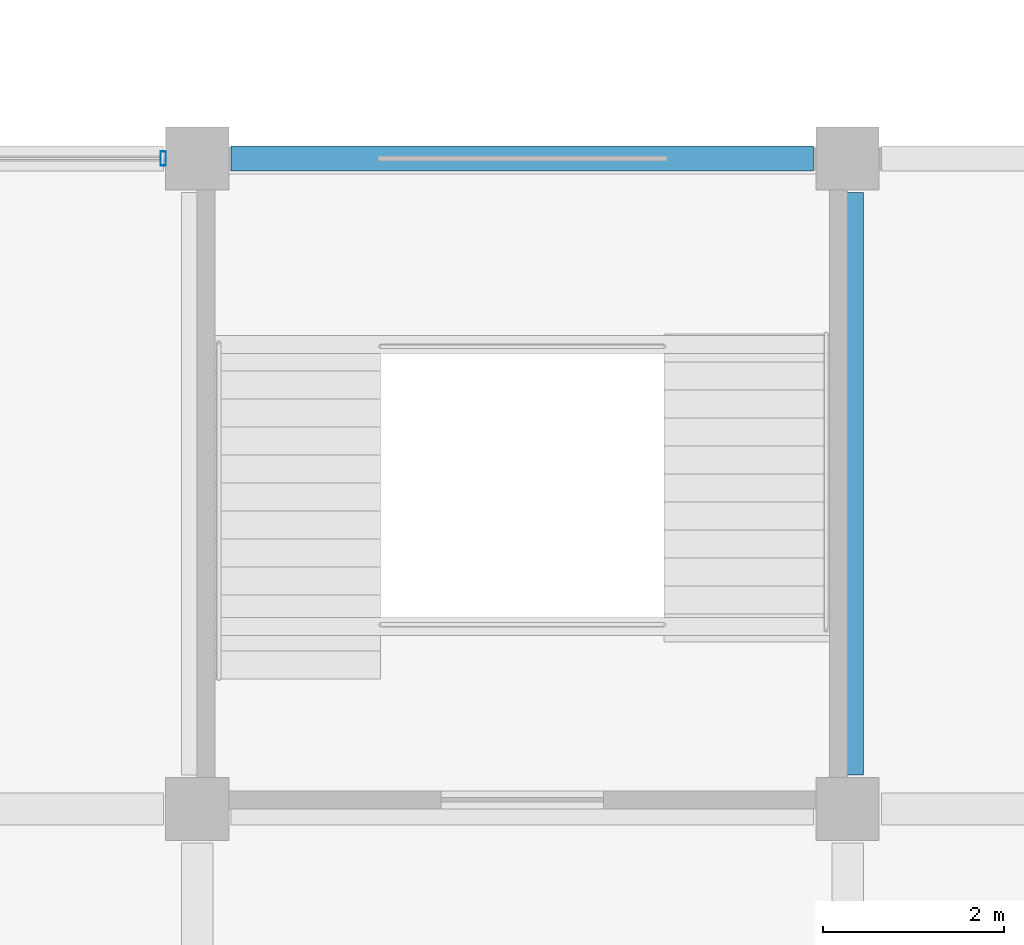
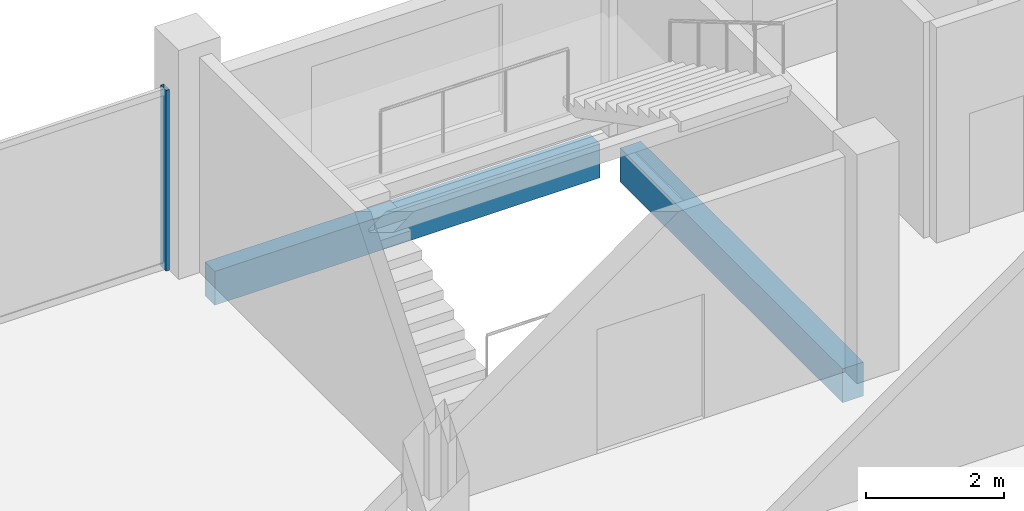
# One storey, part 43 of 108: 2 beams, 1 member, 1 element without a shape of its own.
"""IFC4 building model written with IfcOpenShell, lengths in metres."""

from ifc_helpers import new_model, si_unit, direction, frame, origin, origin_2d, place, context, subcontext, project, spatial, rectangle, hollow_rectangle, extrude, material, layer, layer_set, material_profile, profile_set, type_object, element, aggregate, save


model = new_model("IFC4")

# Units and contexts
model_context = context("Model", 3, precision=1e-05, world=origin(), true_north=direction((0.0, 1.0)))
body_context = subcontext(model_context, "Body", "Model", "MODEL_VIEW")
ifc_project = project(units=[si_unit("LENGTHUNIT", "METRE"), si_unit("AREAUNIT", "SQUARE_METRE"), si_unit("VOLUMEUNIT", "CUBIC_METRE"), si_unit("PLANEANGLEUNIT", "RADIAN"), si_unit("MASSUNIT", "GRAM", prefix="KILO")], contexts=[model_context])

# Site, building, storey
site_placement = place(None, origin())
site = spatial("IfcSite", under=ifc_project, at=site_placement, CompositionType="ELEMENT")
building_placement = place(site_placement, origin())
building = spatial("IfcBuilding", under=site, at=building_placement, Name="Kangsadwip Square Police Headquarters", CompositionType="ELEMENT")
storey_placement = place(building_placement, frame((0.0, 0.0, 9.449951171875)))
storey = spatial("IfcBuildingStorey", under=building, at=storey_placement, Name="L02", CompositionType="ELEMENT", Elevation=9.449951171875)

# Curtain wall, member
ifc_material_1 = material(Name="Thermally broken anodised aluminium AW-6063-T6", Category="aluminium")
ifc_layer = layer(ifc_material_1, 0.159912109375)
ifc_layer_set = layer_set([ifc_layer], Name="Thermally broken anodised aluminium AW-6063-T6")
curtain_wall_type = type_object("IfcCurtainWallType", Name="CourtScreen6535x3200", PredefinedType="USERDEFINED", material=ifc_layer_set)
curtain_wall_placement = place(storey_placement, origin())
curtain_wall = element("IfcCurtainWall", 1, at=curtain_wall_placement, inside=storey, type_object=curtain_wall_type, Name="Curtain Wall CW-L02-1227-0360", ObjectType="GLAZED_SCREEN", PredefinedType="USERDEFINED")
ifc_material_2 = material(Name="Thermally broken anodised aluminium AW-6063-T6", Category="aluminium")
ifc_material_profile_1 = material_profile(ifc_material_2, hollow_rectangle(XDim=0.06005859375, YDim=0.159912109375, WallThickness=0.00390625, at=origin_2d()), Name="CWM 160X60X4")
ifc_profile_set_1 = profile_set([ifc_material_profile_1], Name="Thermally broken anodised aluminium AW-6063-T6")
member_type = type_object("IfcMemberType", Name="CwMullion135x60", PredefinedType="MULLION", material=ifc_profile_set_1)
member_placement = place(storey_placement, frame((129.22509765625, 36.0, 0.0), z_axis=(0.0, 0.0, 1.0), x_axis=(1.0, 0.0, 0.0)))
member = element("IfcMember", 2, at=member_placement, type_object=member_type, Name="CW-31 mullion 2", PredefinedType="MULLION", context=body_context, shape_type="SweptSolid", body=[
    extrude(hollow_rectangle(XDim=0.06005859375, YDim=0.159912109375, WallThickness=0.00390625, at=origin_2d()), origin(), (0.0, 0.0, 1.0), 3.199951171875),
])
aggregate(curtain_wall, [member])

# Beams
ifc_material_3 = material(Name="Concrete M35 (35 MPa)", Category="concrete")
ifc_material_profile_2 = material_profile(ifc_material_3, rectangle(XDim=0.35009765625, YDim=0.60009765625, at=origin_2d()), Name="RC BM 600X350")
ifc_profile_set_2 = profile_set([ifc_material_profile_2], Name="Concrete M35 (35 MPa)")
beam_type_1 = type_object("IfcBeamType", Name="RcBeam600x350", PredefinedType="BEAM", material=ifc_profile_set_2)
beam_1_placement = place(storey_placement, frame((136.800048828125, 29.175048828125, -0.5400390625), z_axis=(0.0, 1.0, 0.0), x_axis=(-1.0, 0.0, 0.0)))
element("IfcBeam", 3, at=beam_1_placement, inside=storey, type_object=beam_type_1, Name="Beam BM-L02-Y-19-04", PredefinedType="BEAM", context=body_context, shape_type="SweptSolid", body=[
    extrude(rectangle(XDim=0.35009765625, YDim=0.60009765625, at=origin_2d()), origin(), (0.0, 0.0, 1.0), 6.449951171875),
])
ifc_material_4 = material(Name="Concrete M40 (40 MPa)", Category="concrete")
ifc_material_profile_3 = material_profile(ifc_material_4, rectangle(XDim=0.280029296875, YDim=0.60009765625, at=origin_2d()), Name="RC SPN 600X280")
ifc_profile_set_3 = profile_set([ifc_material_profile_3], Name="Concrete M40 (40 MPa)")
beam_type_2 = type_object("IfcBeamType", Name="RcSpandrel600x280", PredefinedType="SPANDREL", material=ifc_profile_set_3)
beam_2_placement = place(storey_placement, frame((129.97509765625, 36.0, -0.5400390625), z_axis=(1.0, 0.0, 0.0), x_axis=(0.0, 1.0, 0.0)))
element("IfcBeam", 4, at=beam_2_placement, inside=storey, type_object=beam_type_2, Name="Beam BM-L02-X-18-05", PredefinedType="SPANDREL", context=body_context, shape_type="SweptSolid", body=[
    extrude(rectangle(XDim=0.280029296875, YDim=0.60009765625, at=origin_2d()), origin(), (0.0, 0.0, 1.0), 6.449951171875),
])

save(model, "model.ifc")
